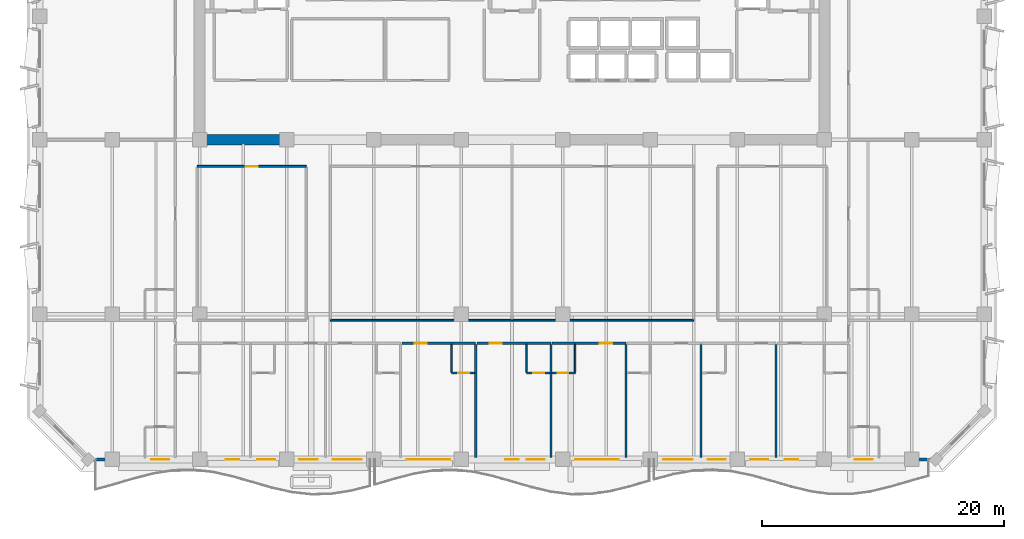
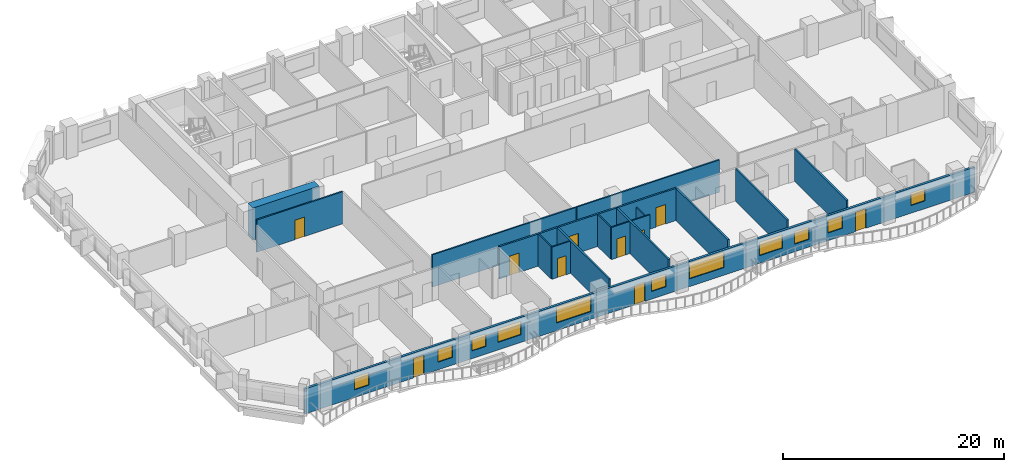
# One storey, part 5 of 15: 19 walls, 11 windows, 10 doors, 21 openings.
"""IFC4 building model written with IfcOpenShell, lengths in metres."""

from ifc_helpers import new_model, si_unit, direction, frame, frame_2d, origin, place, context, subcontext, project, spatial, rectangle, extrude, material, layer, layer_set, type_object, element, fill, save


model = new_model("IFC4")

# Units and contexts
model_context = context("Model", 3, precision=1e-05, world=origin(), true_north=direction((0.0, 1.0)))
body_context = subcontext(model_context, "Body", "Model", "MODEL_VIEW")
ifc_project = project(units=[si_unit("LENGTHUNIT", "METRE"), si_unit("AREAUNIT", "SQUARE_METRE"), si_unit("VOLUMEUNIT", "CUBIC_METRE"), si_unit("PLANEANGLEUNIT", "RADIAN"), si_unit("MASSUNIT", "GRAM", prefix="KILO")], contexts=[model_context])

# Site, building, storey
site_placement = place(None, origin())
site = spatial("IfcSite", under=ifc_project, at=site_placement, CompositionType="ELEMENT")
building_placement = place(site_placement, origin())
building = spatial("IfcBuilding", under=site, at=building_placement, Name="Kaelvorn Grand Hotel", CompositionType="ELEMENT")
storey_placement = place(building_placement, frame((0.0, 0.0, 150.550048828125)))
storey = spatial("IfcBuildingStorey", under=building, at=storey_placement, Name="L36", CompositionType="ELEMENT", Elevation=150.550048828125)

# Wall
ifc_material_1 = material(Name="Concrete C60/75", Category="concrete")
ifc_layer_1 = layer(ifc_material_1, 0.89990234375)
ifc_layer_set_1 = layer_set([ifc_layer_1], Name="Concrete C60/75")
wall_type_1 = type_object("IfcWallType", Name="WL-CORE-900-C60", PredefinedType="SHEAR", material=ifc_layer_set_1)
wall_1_placement = place(storey_placement, frame((16.655029296875, 29.39990234375, 0.0), z_axis=(0.0, 0.0, 1.0), x_axis=(1.0, 0.0, 0.0)))
element("IfcWall", 1, at=wall_1_placement, inside=storey, type_object=wall_type_1, Name="L36 Rear-Core Coupled Shear Pier S1", PredefinedType="SHEAR", context=body_context, shape_type="SweptSolid", body=[
    extrude(rectangle(XDim=6.945068359375, YDim=0.89990234375, at=frame_2d((3.47265625, 0.0))), origin(), (0.0, 0.0, 1.0), 3.56005859375),
])

# Wall, openings, doors, windows
ifc_material_2 = material(Name="Concrete C40/50", Category="concrete")
ifc_layer_2 = layer(ifc_material_2, 0.239990234375)
ifc_layer_set_2 = layer_set([ifc_layer_2], Name="Concrete C40/50")
wall_type_2 = type_object("IfcWallType", Name="WL-EXT-240-C40", PredefinedType="SOLIDWALL", material=ifc_layer_set_2)
wall_2_placement = place(storey_placement, frame((7.0, 3.0, 0.0), z_axis=(0.0, 0.0, 1.0), x_axis=(1.0, 0.0, 0.0)))
wall_2 = element("IfcWall", 2, at=wall_2_placement, inside=storey, type_object=wall_type_2, Name="L36 Exterior Architectural Concrete Wall 01", PredefinedType="SOLIDWALL", context=body_context, shape_type="SweptSolid", body=[
    extrude(rectangle(XDim=70.0, YDim=0.239990234375, at=frame_2d((35.0, 0.0))), origin(), (0.0, 0.0, 1.0), 2.760009765625),
])
opening_1_placement = place(wall_2_placement, frame((11.38330078125, 0.0, 0.0)))
opening_1 = element("IfcOpeningElement", 3, at=opening_1_placement, cuts=wall_2, Name="Opening DE2", PredefinedType="OPENING", context=body_context, shape_type="SweptSolid", body=[
    extrude(rectangle(XDim=1.10009765625, YDim=2.14990234375, at=frame_2d((0.550048828125, 1.074951171875))), frame((0.0, 0.1298828125, 0.0), z_axis=(0.0, -1.0, 0.0), x_axis=(1.0, 0.0, 0.0)), (0.0, 0.0, 1.0), 0.260009765625),
])
opening_2_placement = place(wall_2_placement, frame((34.449951171875, 0.0, 0.0)))
opening_2 = element("IfcOpeningElement", 4, at=opening_2_placement, cuts=wall_2, Name="Opening DE2", PredefinedType="OPENING", context=body_context, shape_type="SweptSolid", body=[
    extrude(rectangle(XDim=1.10009765625, YDim=2.14990234375, at=frame_2d((0.550048828125, 1.074951171875))), frame((0.0, 0.1298828125, 0.0), z_axis=(0.0, -1.0, 0.0), x_axis=(1.0, 0.0, 0.0)), (0.0, 0.0, 1.0), 0.260009765625),
])
opening_3_placement = place(wall_2_placement, frame((57.5166015625, 0.0, 0.0)))
opening_3 = element("IfcOpeningElement", 5, at=opening_3_placement, cuts=wall_2, Name="Opening DE2", PredefinedType="OPENING", context=body_context, shape_type="SweptSolid", body=[
    extrude(rectangle(XDim=1.10009765625, YDim=2.14990234375, at=frame_2d((0.550048828125, 1.074951171875))), frame((0.0, 0.1298828125, 0.0), z_axis=(0.0, -1.0, 0.0), x_axis=(1.0, 0.0, 0.0)), (0.0, 0.0, 1.0), 0.260009765625),
])
opening_4_placement = place(wall_2_placement, frame((5.199951171875, 0.0, 0.85009765625)))
opening_4 = element("IfcOpeningElement", 6, at=opening_4_placement, cuts=wall_2, Name="Opening W10", PredefinedType="OPENING", context=body_context, shape_type="SweptSolid", body=[
    extrude(rectangle(XDim=1.5, YDim=1.39990234375, at=frame_2d((0.75, 0.699951171875))), frame((0.0, 0.1298828125, 0.0), z_axis=(0.0, -1.0, 0.0), x_axis=(1.0, 0.0, 0.0)), (0.0, 0.0, 1.0), 0.260009765625),
])
opening_5_placement = place(wall_2_placement, frame((13.950439453125, 0.0, 0.85009765625)))
opening_5 = element("IfcOpeningElement", 7, at=opening_5_placement, cuts=wall_2, Name="Opening W10", PredefinedType="OPENING", context=body_context, shape_type="SweptSolid", body=[
    extrude(rectangle(XDim=1.5, YDim=1.39990234375, at=frame_2d((0.75, 0.699951171875))), frame((0.0, 0.1298828125, 0.0), z_axis=(0.0, -1.0, 0.0), x_axis=(1.0, 0.0, 0.0)), (0.0, 0.0, 1.0), 0.260009765625),
])
opening_6_placement = place(wall_2_placement, frame((17.451416015625, 0.0, 0.85009765625)))
opening_6 = element("IfcOpeningElement", 8, at=opening_6_placement, cuts=wall_2, Name="Opening W10", PredefinedType="OPENING", context=body_context, shape_type="SweptSolid", body=[
    extrude(rectangle(XDim=1.5, YDim=1.39990234375, at=frame_2d((0.75, 0.699951171875))), frame((0.0, 0.1298828125, 0.0), z_axis=(0.0, -1.0, 0.0), x_axis=(1.0, 0.0, 0.0)), (0.0, 0.0, 1.0), 0.260009765625),
])
opening_7_placement = place(wall_2_placement, frame((20.201416015625, 0.0, 0.85009765625)))
opening_7 = element("IfcOpeningElement", 9, at=opening_7_placement, cuts=wall_2, Name="Opening W6", PredefinedType="OPENING", context=body_context, shape_type="SweptSolid", body=[
    extrude(rectangle(XDim=2.39990234375, YDim=1.5, at=frame_2d((1.199951171875, 0.75))), frame((0.0, 0.1298828125, 0.0), z_axis=(0.0, -1.0, 0.0), x_axis=(1.0, 0.0, 0.0)), (0.0, 0.0, 1.0), 0.260009765625),
])
opening_8_placement = place(wall_2_placement, frame((26.302490234375, 0.0, 0.85009765625)))
opening_8 = element("IfcOpeningElement", 10, at=opening_8_placement, cuts=wall_2, Name="Opening W3", PredefinedType="OPENING", context=body_context, shape_type="SweptSolid", body=[
    extrude(rectangle(XDim=3.60009765625, YDim=1.75, at=frame_2d((1.800048828125, 0.875))), frame((0.0, 0.1298828125, 0.0), z_axis=(0.0, -1.0, 0.0), x_axis=(1.0, 0.0, 0.0)), (0.0, 0.0, 1.0), 0.260009765625),
])
opening_9_placement = place(wall_2_placement, frame((36.214111328125, 0.0, 0.85009765625)))
opening_9 = element("IfcOpeningElement", 11, at=opening_9_placement, cuts=wall_2, Name="Opening W10", PredefinedType="OPENING", context=body_context, shape_type="SweptSolid", body=[
    extrude(rectangle(XDim=1.5, YDim=1.39990234375, at=frame_2d((0.75, 0.699951171875))), frame((0.0, 0.1298828125, 0.0), z_axis=(0.0, -1.0, 0.0), x_axis=(1.0, 0.0, 0.0)), (0.0, 0.0, 1.0), 0.260009765625),
])
opening_10_placement = place(wall_2_placement, frame((40.20458984375, 0.0, 0.85009765625)))
opening_10 = element("IfcOpeningElement", 12, at=opening_10_placement, cuts=wall_2, Name="Opening W3", PredefinedType="OPENING", context=body_context, shape_type="SweptSolid", body=[
    extrude(rectangle(XDim=3.60009765625, YDim=1.75, at=frame_2d((1.800048828125, 0.875))), frame((0.0, 0.1298828125, 0.0), z_axis=(0.0, -1.0, 0.0), x_axis=(1.0, 0.0, 0.0)), (0.0, 0.0, 1.0), 0.260009765625),
])
opening_11_placement = place(wall_2_placement, frame((47.505615234375, 0.0, 0.85009765625)))
opening_11 = element("IfcOpeningElement", 13, at=opening_11_placement, cuts=wall_2, Name="Opening W6", PredefinedType="OPENING", context=body_context, shape_type="SweptSolid", body=[
    extrude(rectangle(XDim=2.39990234375, YDim=1.5, at=frame_2d((1.199951171875, 0.75))), frame((0.0, 0.1298828125, 0.0), z_axis=(0.0, -1.0, 0.0), x_axis=(1.0, 0.0, 0.0)), (0.0, 0.0, 1.0), 0.260009765625),
])
opening_12_placement = place(wall_2_placement, frame((51.155517578125, 0.0, 0.85009765625)))
opening_12 = element("IfcOpeningElement", 14, at=opening_12_placement, cuts=wall_2, Name="Opening W10", PredefinedType="OPENING", context=body_context, shape_type="SweptSolid", body=[
    extrude(rectangle(XDim=1.5, YDim=1.39990234375, at=frame_2d((0.75, 0.699951171875))), frame((0.0, 0.1298828125, 0.0), z_axis=(0.0, -1.0, 0.0), x_axis=(1.0, 0.0, 0.0)), (0.0, 0.0, 1.0), 0.260009765625),
])
opening_13_placement = place(wall_2_placement, frame((54.656005859375, 0.0, 0.85009765625)))
opening_13 = element("IfcOpeningElement", 15, at=opening_13_placement, cuts=wall_2, Name="Opening W10", PredefinedType="OPENING", context=body_context, shape_type="SweptSolid", body=[
    extrude(rectangle(XDim=1.5, YDim=1.39990234375, at=frame_2d((0.75, 0.699951171875))), frame((0.0, 0.1298828125, 0.0), z_axis=(0.0, -1.0, 0.0), x_axis=(1.0, 0.0, 0.0)), (0.0, 0.0, 1.0), 0.260009765625),
])
opening_14_placement = place(wall_2_placement, frame((63.300048828125, 0.0, 0.85009765625)))
opening_14 = element("IfcOpeningElement", 16, at=opening_14_placement, cuts=wall_2, Name="Opening W10", PredefinedType="OPENING", context=body_context, shape_type="SweptSolid", body=[
    extrude(rectangle(XDim=1.5, YDim=1.39990234375, at=frame_2d((0.75, 0.699951171875))), frame((0.0, 0.1298828125, 0.0), z_axis=(0.0, -1.0, 0.0), x_axis=(1.0, 0.0, 0.0)), (0.0, 0.0, 1.0), 0.260009765625),
])
ifc_material_3 = material(Name="Anodised Aluminium", Category="aluminium")
door_type_1 = type_object("IfcDoorType", Name="DR-EXT-BALC-1100x2150", OperationType="NOTDEFINED", PredefinedType="DOOR", material=ifc_material_3)
door_1_placement = place(opening_1_placement, origin())
door_1 = element("IfcDoor", 17, at=door_1_placement, inside=storey, type_object=door_type_1, Name="L36 Scalloped Balcony Glazed Door DE2-1", OperationType="SINGLE_SWING_RIGHT", OverallHeight=2.14990234375, OverallWidth=1.10009765625, PredefinedType="DOOR", context=body_context, shape_type="SweptSolid", body=[
    extrude(rectangle(XDim=1.10009765625, YDim=2.14990234375, at=frame_2d((0.550048828125, 1.074951171875))), frame((0.0, 0.02490234375, 0.0), z_axis=(0.0, -1.0, 0.0), x_axis=(1.0, 0.0, 0.0)), (0.0, 0.0, 1.0), 0.050048828125),
])
fill(opening_1, door_1)
door_2_placement = place(opening_2_placement, origin())
door_2 = element("IfcDoor", 18, at=door_2_placement, inside=storey, type_object=door_type_1, Name="L36 Scalloped Balcony Glazed Door DE2-2", OperationType="SINGLE_SWING_LEFT", OverallHeight=2.14990234375, OverallWidth=1.10009765625, PredefinedType="DOOR", context=body_context, shape_type="SweptSolid", body=[
    extrude(rectangle(XDim=1.10009765625, YDim=2.14990234375, at=frame_2d((0.550048828125, 1.074951171875))), frame((0.0, 0.02490234375, 0.0), z_axis=(0.0, -1.0, 0.0), x_axis=(1.0, 0.0, 0.0)), (0.0, 0.0, 1.0), 0.050048828125),
])
fill(opening_2, door_2)
door_3_placement = place(opening_3_placement, origin())
door_3 = element("IfcDoor", 19, at=door_3_placement, inside=storey, type_object=door_type_1, Name="L36 Scalloped Balcony Glazed Door DE2-3", OperationType="SINGLE_SWING_RIGHT", OverallHeight=2.14990234375, OverallWidth=1.10009765625, PredefinedType="DOOR", context=body_context, shape_type="SweptSolid", body=[
    extrude(rectangle(XDim=1.10009765625, YDim=2.14990234375, at=frame_2d((0.550048828125, 1.074951171875))), frame((0.0, 0.02490234375, 0.0), z_axis=(0.0, -1.0, 0.0), x_axis=(1.0, 0.0, 0.0)), (0.0, 0.0, 1.0), 0.050048828125),
])
fill(opening_3, door_3)
ifc_material_4 = material(Name="Laminated Low-E Glass", Category="glass")
window_type_1 = type_object("IfcWindowType", Name="WIN-COR-1500x1400", PartitioningType="SINGLE_PANEL", PredefinedType="WINDOW", material=ifc_material_4)
window_1_placement = place(opening_4_placement, origin())
window_1 = element("IfcWindow", 20, at=window_1_placement, inside=storey, type_object=window_type_1, Name="L36 South Guestroom Ribbon Window SR01", OverallHeight=1.39990234375, OverallWidth=1.5, PartitioningType="SINGLE_PANEL", PredefinedType="WINDOW", context=body_context, shape_type="SweptSolid", body=[
    extrude(rectangle(XDim=1.5, YDim=1.39990234375, at=frame_2d((0.75, 0.699951171875))), frame((0.0, 0.030029296875, 0.0), z_axis=(0.0, -1.0, 0.0), x_axis=(1.0, 0.0, 0.0)), (0.0, 0.0, 1.0), 0.06005859375),
])
fill(opening_4, window_1)
window_2_placement = place(opening_5_placement, origin())
window_2 = element("IfcWindow", 21, at=window_2_placement, inside=storey, type_object=window_type_1, Name="L36 South Guestroom Ribbon Window SR02", OverallHeight=1.39990234375, OverallWidth=1.5, PartitioningType="SINGLE_PANEL", PredefinedType="WINDOW", context=body_context, shape_type="SweptSolid", body=[
    extrude(rectangle(XDim=1.5, YDim=1.39990234375, at=frame_2d((0.75, 0.699951171875))), frame((0.0, 0.030029296875, 0.0), z_axis=(0.0, -1.0, 0.0), x_axis=(1.0, 0.0, 0.0)), (0.0, 0.0, 1.0), 0.06005859375),
])
fill(opening_5, window_2)
window_3_placement = place(opening_6_placement, origin())
window_3 = element("IfcWindow", 22, at=window_3_placement, inside=storey, type_object=window_type_1, Name="L36 South Guestroom Ribbon Window SR03", OverallHeight=1.39990234375, OverallWidth=1.5, PartitioningType="SINGLE_PANEL", PredefinedType="WINDOW", context=body_context, shape_type="SweptSolid", body=[
    extrude(rectangle(XDim=1.5, YDim=1.39990234375, at=frame_2d((0.75, 0.699951171875))), frame((0.0, 0.030029296875, 0.0), z_axis=(0.0, -1.0, 0.0), x_axis=(1.0, 0.0, 0.0)), (0.0, 0.0, 1.0), 0.06005859375),
])
fill(opening_6, window_3)
window_4_placement = place(opening_9_placement, origin())
window_4 = element("IfcWindow", 23, at=window_4_placement, inside=storey, type_object=window_type_1, Name="L36 South Guestroom Ribbon Window SR06", OverallHeight=1.39990234375, OverallWidth=1.5, PartitioningType="SINGLE_PANEL", PredefinedType="WINDOW", context=body_context, shape_type="SweptSolid", body=[
    extrude(rectangle(XDim=1.5, YDim=1.39990234375, at=frame_2d((0.75, 0.699951171875))), frame((0.0, 0.030029296875, 0.0), z_axis=(0.0, -1.0, 0.0), x_axis=(1.0, 0.0, 0.0)), (0.0, 0.0, 1.0), 0.06005859375),
])
fill(opening_9, window_4)
window_5_placement = place(opening_12_placement, origin())
window_5 = element("IfcWindow", 24, at=window_5_placement, inside=storey, type_object=window_type_1, Name="L36 South Guestroom Ribbon Window SR09", OverallHeight=1.39990234375, OverallWidth=1.5, PartitioningType="SINGLE_PANEL", PredefinedType="WINDOW", context=body_context, shape_type="SweptSolid", body=[
    extrude(rectangle(XDim=1.5, YDim=1.39990234375, at=frame_2d((0.75, 0.699951171875))), frame((0.0, 0.030029296875, 0.0), z_axis=(0.0, -1.0, 0.0), x_axis=(1.0, 0.0, 0.0)), (0.0, 0.0, 1.0), 0.06005859375),
])
fill(opening_12, window_5)
window_6_placement = place(opening_13_placement, origin())
window_6 = element("IfcWindow", 25, at=window_6_placement, inside=storey, type_object=window_type_1, Name="L36 South Guestroom Ribbon Window SR10", OverallHeight=1.39990234375, OverallWidth=1.5, PartitioningType="SINGLE_PANEL", PredefinedType="WINDOW", context=body_context, shape_type="SweptSolid", body=[
    extrude(rectangle(XDim=1.5, YDim=1.39990234375, at=frame_2d((0.75, 0.699951171875))), frame((0.0, 0.030029296875, 0.0), z_axis=(0.0, -1.0, 0.0), x_axis=(1.0, 0.0, 0.0)), (0.0, 0.0, 1.0), 0.06005859375),
])
fill(opening_13, window_6)
window_7_placement = place(opening_14_placement, origin())
window_7 = element("IfcWindow", 26, at=window_7_placement, inside=storey, type_object=window_type_1, Name="L36 South Guestroom Ribbon Window SR11", OverallHeight=1.39990234375, OverallWidth=1.5, PartitioningType="SINGLE_PANEL", PredefinedType="WINDOW", context=body_context, shape_type="SweptSolid", body=[
    extrude(rectangle(XDim=1.5, YDim=1.39990234375, at=frame_2d((0.75, 0.699951171875))), frame((0.0, 0.030029296875, 0.0), z_axis=(0.0, -1.0, 0.0), x_axis=(1.0, 0.0, 0.0)), (0.0, 0.0, 1.0), 0.06005859375),
])
fill(opening_14, window_7)
window_type_2 = type_object("IfcWindowType", Name="WIN-NTH-2400x1500", PartitioningType="SINGLE_PANEL", PredefinedType="WINDOW", material=ifc_material_4)
window_8_placement = place(opening_7_placement, origin())
window_8 = element("IfcWindow", 27, at=window_8_placement, inside=storey, type_object=window_type_2, Name="L36 South Guestroom Ribbon Window SR04", OverallHeight=1.5, OverallWidth=2.39990234375, PartitioningType="SINGLE_PANEL", PredefinedType="WINDOW", context=body_context, shape_type="SweptSolid", body=[
    extrude(rectangle(XDim=2.39990234375, YDim=1.5, at=frame_2d((1.199951171875, 0.75))), frame((0.0, 0.030029296875, 0.0), z_axis=(0.0, -1.0, 0.0), x_axis=(1.0, 0.0, 0.0)), (0.0, 0.0, 1.0), 0.06005859375),
])
fill(opening_7, window_8)
window_9_placement = place(opening_11_placement, origin())
window_9 = element("IfcWindow", 28, at=window_9_placement, inside=storey, type_object=window_type_2, Name="L36 South Guestroom Ribbon Window SR08", OverallHeight=1.5, OverallWidth=2.39990234375, PartitioningType="SINGLE_PANEL", PredefinedType="WINDOW", context=body_context, shape_type="SweptSolid", body=[
    extrude(rectangle(XDim=2.39990234375, YDim=1.5, at=frame_2d((1.199951171875, 0.75))), frame((0.0, 0.030029296875, 0.0), z_axis=(0.0, -1.0, 0.0), x_axis=(1.0, 0.0, 0.0)), (0.0, 0.0, 1.0), 0.06005859375),
])
fill(opening_11, window_9)
window_type_3 = type_object("IfcWindowType", Name="WIN-RIB-3600x1750", PartitioningType="SINGLE_PANEL", PredefinedType="WINDOW", material=ifc_material_4)
window_10_placement = place(opening_8_placement, origin())
window_10 = element("IfcWindow", 29, at=window_10_placement, inside=storey, type_object=window_type_3, Name="L36 South Guestroom Ribbon Window SR05", OverallHeight=1.75, OverallWidth=3.60009765625, PartitioningType="SINGLE_PANEL", PredefinedType="WINDOW", context=body_context, shape_type="SweptSolid", body=[
    extrude(rectangle(XDim=3.60009765625, YDim=1.75, at=frame_2d((1.800048828125, 0.875))), frame((0.0, 0.030029296875, 0.0), z_axis=(0.0, -1.0, 0.0), x_axis=(1.0, 0.0, 0.0)), (0.0, 0.0, 1.0), 0.06005859375),
])
fill(opening_8, window_10)
window_11_placement = place(opening_10_placement, origin())
window_11 = element("IfcWindow", 30, at=window_11_placement, inside=storey, type_object=window_type_3, Name="L36 South Guestroom Ribbon Window SR07", OverallHeight=1.75, OverallWidth=3.60009765625, PartitioningType="SINGLE_PANEL", PredefinedType="WINDOW", context=body_context, shape_type="SweptSolid", body=[
    extrude(rectangle(XDim=3.60009765625, YDim=1.75, at=frame_2d((1.800048828125, 0.875))), frame((0.0, 0.030029296875, 0.0), z_axis=(0.0, -1.0, 0.0), x_axis=(1.0, 0.0, 0.0)), (0.0, 0.0, 1.0), 0.06005859375),
])
fill(opening_10, window_11)

# Wall, opening, door
ifc_material_5 = material(Name="Moisture-Resistant Tile & Stud Board")
ifc_layer_3 = layer(ifc_material_5, 0.125)
ifc_layer_set_3 = layer_set([ifc_layer_3], Name="Moisture-Resistant Tile & Stud Board")
wall_type_3 = type_object("IfcWallType", Name="WL-PART-125-WET", PredefinedType="PARTITIONING", material=ifc_layer_set_3)
wall_3_placement = place(storey_placement, frame((37.006103515625, 10.139892578125, 0.0), z_axis=(0.0, 0.0, 1.0), x_axis=(1.0, 0.0, 0.0)))
wall_3 = element("IfcWall", 31, at=wall_3_placement, inside=storey, type_object=wall_type_3, Name="L36 En-suite Bathroom L36-04 S Partition", PredefinedType="PARTITIONING", context=body_context, shape_type="SweptSolid", body=[
    extrude(rectangle(XDim=1.905029296875, YDim=0.125, at=frame_2d((0.95263671875, 0.0))), origin(), (0.0, 0.0, 1.0), 3.56005859375),
])
opening_15_placement = place(wall_3_placement, frame((0.550048828125, 0.0, 0.0)))
opening_15 = element("IfcOpeningElement", 32, at=opening_15_placement, cuts=wall_3, Name="Opening DI4", PredefinedType="OPENING", context=body_context, shape_type="SweptSolid", body=[
    extrude(rectangle(XDim=0.89990234375, YDim=2.10009765625, at=frame_2d((0.449951171875, 1.050048828125))), frame((0.0, 0.072509765625, 0.0), z_axis=(0.0, -1.0, 0.0), x_axis=(1.0, 0.0, 0.0)), (0.0, 0.0, 1.0), 0.14501953125),
])
ifc_material_6 = material(Name="Timber Veneer Leaf", Category="wood")
door_type_2 = type_object("IfcDoorType", Name="DR-INT-BATH-900x2100", OperationType="NOTDEFINED", PredefinedType="DOOR", material=ifc_material_6)
door_4_placement = place(opening_15_placement, origin())
door_4 = element("IfcDoor", 33, at=door_4_placement, inside=storey, type_object=door_type_2, Name="L36 En-suite Bathroom L36-04 Door", OperationType="SINGLE_SWING_LEFT", OverallHeight=2.10009765625, OverallWidth=0.89990234375, PredefinedType="DOOR", context=body_context, shape_type="SweptSolid", body=[
    extrude(rectangle(XDim=0.89990234375, YDim=2.10009765625, at=frame_2d((0.449951171875, 1.050048828125))), frame((0.0, 0.02490234375, 0.0), z_axis=(0.0, -1.0, 0.0), x_axis=(1.0, 0.0, 0.0)), (0.0, 0.0, 1.0), 0.050048828125),
])
fill(opening_15, door_4)

# Wall
wall_4_placement = place(storey_placement, frame((37.006103515625, 10.20751953125, 0.0), z_axis=(0.0, 0.0, 1.0), x_axis=(0.0, 1.0, 0.0)))
element("IfcWall", 34, at=wall_4_placement, inside=storey, type_object=wall_type_3, Name="L36 En-suite Bathroom L36-04 W Partition", PredefinedType="PARTITIONING", context=body_context, shape_type="SweptSolid", body=[
    extrude(rectangle(XDim=2.29736328125, YDim=0.125, at=frame_2d((1.148681640625, 0.0))), origin(), (0.0, 0.0, 1.0), 3.56005859375),
])

# Wall, opening, door
wall_5_placement = place(storey_placement, frame((43.207763671875, 10.139892578125, 0.0), z_axis=(0.0, 0.0, 1.0), x_axis=(1.0, 0.0, 0.0)))
wall_5 = element("IfcWall", 35, at=wall_5_placement, inside=storey, type_object=wall_type_3, Name="L36 En-suite Bathroom L36-05 S Partition", PredefinedType="PARTITIONING", context=body_context, shape_type="SweptSolid", body=[
    extrude(rectangle(XDim=1.905029296875, YDim=0.125, at=frame_2d((0.95263671875, 0.0))), origin(), (0.0, 0.0, 1.0), 3.56005859375),
])
opening_16_placement = place(wall_5_placement, frame((0.550048828125, 0.0, 0.0)))
opening_16 = element("IfcOpeningElement", 36, at=opening_16_placement, cuts=wall_5, Name="Opening DI4", PredefinedType="OPENING", context=body_context, shape_type="SweptSolid", body=[
    extrude(rectangle(XDim=0.89990234375, YDim=2.10009765625, at=frame_2d((0.449951171875, 1.050048828125))), frame((0.0, 0.072509765625, 0.0), z_axis=(0.0, -1.0, 0.0), x_axis=(1.0, 0.0, 0.0)), (0.0, 0.0, 1.0), 0.14501953125),
])
door_5_placement = place(opening_16_placement, origin())
door_5 = element("IfcDoor", 37, at=door_5_placement, inside=storey, type_object=door_type_2, Name="L36 En-suite Bathroom L36-05 Door", OperationType="SINGLE_SWING_LEFT", OverallHeight=2.10009765625, OverallWidth=0.89990234375, PredefinedType="DOOR", context=body_context, shape_type="SweptSolid", body=[
    extrude(rectangle(XDim=0.89990234375, YDim=2.10009765625, at=frame_2d((0.449951171875, 1.050048828125))), frame((0.0, 0.02490234375, 0.0), z_axis=(0.0, -1.0, 0.0), x_axis=(1.0, 0.0, 0.0)), (0.0, 0.0, 1.0), 0.050048828125),
])
fill(opening_16, door_5)

# Wall
wall_6_placement = place(storey_placement, frame((43.207763671875, 10.20751953125, 0.0), z_axis=(0.0, 0.0, 1.0), x_axis=(0.0, 1.0, 0.0)))
element("IfcWall", 38, at=wall_6_placement, inside=storey, type_object=wall_type_3, Name="L36 En-suite Bathroom L36-05 W Partition", PredefinedType="PARTITIONING", context=body_context, shape_type="SweptSolid", body=[
    extrude(rectangle(XDim=2.29736328125, YDim=0.125, at=frame_2d((1.148681640625, 0.0))), origin(), (0.0, 0.0, 1.0), 3.56005859375),
])

# Wall, opening, door
wall_7_placement = place(storey_placement, frame((45.302734375, 10.139892578125, 0.0), z_axis=(0.0, 0.0, 1.0), x_axis=(1.0, 0.0, 0.0)))
wall_7 = element("IfcWall", 39, at=wall_7_placement, inside=storey, type_object=wall_type_3, Name="L36 En-suite Bathroom L36-06 S Partition", PredefinedType="PARTITIONING", context=body_context, shape_type="SweptSolid", body=[
    extrude(rectangle(XDim=1.905029296875, YDim=0.125, at=frame_2d((0.95263671875, 0.0))), origin(), (0.0, 0.0, 1.0), 3.56005859375),
])
opening_17_placement = place(wall_7_placement, frame((0.455078125, 0.0, 0.0)))
opening_17 = element("IfcOpeningElement", 40, at=opening_17_placement, cuts=wall_7, Name="Opening DI4", PredefinedType="OPENING", context=body_context, shape_type="SweptSolid", body=[
    extrude(rectangle(XDim=0.89990234375, YDim=2.10009765625, at=frame_2d((0.449951171875, 1.050048828125))), frame((0.0, 0.072509765625, 0.0), z_axis=(0.0, -1.0, 0.0), x_axis=(1.0, 0.0, 0.0)), (0.0, 0.0, 1.0), 0.14501953125),
])
door_6_placement = place(opening_17_placement, origin())
door_6 = element("IfcDoor", 41, at=door_6_placement, inside=storey, type_object=door_type_2, Name="L36 En-suite Bathroom L36-06 Door", OperationType="SINGLE_SWING_LEFT", OverallHeight=2.10009765625, OverallWidth=0.89990234375, PredefinedType="DOOR", context=body_context, shape_type="SweptSolid", body=[
    extrude(rectangle(XDim=0.89990234375, YDim=2.10009765625, at=frame_2d((0.449951171875, 1.050048828125))), frame((0.0, 0.02490234375, 0.0), z_axis=(0.0, -1.0, 0.0), x_axis=(1.0, 0.0, 0.0)), (0.0, 0.0, 1.0), 0.050048828125),
])
fill(opening_17, door_6)

# Wall
wall_8_placement = place(storey_placement, frame((47.207763671875, 10.20751953125, 0.0), z_axis=(0.0, 0.0, 1.0), x_axis=(0.0, 1.0, 0.0)))
element("IfcWall", 42, at=wall_8_placement, inside=storey, type_object=wall_type_3, Name="L36 En-suite Bathroom L36-06 E Partition", PredefinedType="PARTITIONING", context=body_context, shape_type="SweptSolid", body=[
    extrude(rectangle(XDim=2.29736328125, YDim=0.125, at=frame_2d((1.148681640625, 0.0))), origin(), (0.0, 0.0, 1.0), 2.929931640625),
])

# Wall, opening, door
ifc_material_7 = material(Name="Acoustic Gypsum & Stud Partition")
ifc_layer_4 = layer(ifc_material_7, 0.14990234375)
ifc_layer_set_4 = layer_set([ifc_layer_4], Name="Acoustic Gypsum & Stud Partition")
wall_type_4 = type_object("IfcWallType", Name="WL-PART-150-EI60", PredefinedType="PARTITIONING", material=ifc_layer_set_4)
wall_9_placement = place(storey_placement, frame((16.0, 27.199951171875, 0.0), z_axis=(0.0, 0.0, 1.0), x_axis=(1.0, 0.0, 0.0)))
wall_9 = element("IfcWall", 43, at=wall_9_placement, inside=storey, type_object=wall_type_4, Name="L36 Reading Library Lounge N Partition", PredefinedType="PARTITIONING", context=body_context, shape_type="SweptSolid", body=[
    extrude(rectangle(XDim=9.0, YDim=0.14990234375, at=frame_2d((4.5, 0.0))), origin(), (0.0, 0.0, 1.0), 3.56005859375),
])
opening_18_placement = place(wall_9_placement, frame((4.0, 0.0, 0.0)))
opening_18 = element("IfcOpeningElement", 44, at=opening_18_placement, cuts=wall_9, Name="Opening DI3", PredefinedType="OPENING", context=body_context, shape_type="SweptSolid", body=[
    extrude(rectangle(XDim=1.0, YDim=2.14990234375, at=frame_2d((0.5, 1.074951171875))), frame((0.0, 0.0849609375, 0.0), z_axis=(0.0, -1.0, 0.0), x_axis=(1.0, 0.0, 0.0)), (0.0, 0.0, 1.0), 0.169921875),
])
ifc_material_8 = material(Name="Timber Veneer Fire Leaf", Category="wood")
door_type_3 = type_object("IfcDoorType", Name="DR-INT-GUEST-1000x2150", OperationType="NOTDEFINED", PredefinedType="DOOR", material=ifc_material_8)
door_7_placement = place(opening_18_placement, origin())
door_7 = element("IfcDoor", 45, at=door_7_placement, inside=storey, type_object=door_type_3, Name="L36 Reading Library Lounge Door", OperationType="SINGLE_SWING_RIGHT", OverallHeight=2.14990234375, OverallWidth=1.0, PredefinedType="DOOR", context=body_context, shape_type="SweptSolid", body=[
    extrude(rectangle(XDim=1.0, YDim=2.14990234375, at=frame_2d((0.5, 1.074951171875))), frame((0.0, 0.02490234375, 0.0), z_axis=(0.0, -1.0, 0.0), x_axis=(1.0, 0.0, 0.0)), (0.0, 0.0, 1.0), 0.050048828125),
])
fill(opening_18, door_7)

# Walls
wall_10_placement = place(storey_placement, frame((27.0, 14.5, 0.0), z_axis=(0.0, 0.0, 1.0), x_axis=(1.0, 0.0, 0.0)))
element("IfcWall", 46, at=wall_10_placement, inside=storey, type_object=wall_type_4, Name="L36 Chef Finishing Kitchen S Partition", PredefinedType="PARTITIONING", context=body_context, shape_type="SweptSolid", body=[
    extrude(rectangle(XDim=15.0, YDim=0.14990234375, at=frame_2d((7.5, 0.0))), origin(), (0.0, 0.0, 1.0), 3.56005859375),
])
wall_11_placement = place(storey_placement, frame((42.080078125, 14.5, 0.0), z_axis=(0.0, 0.0, 1.0), x_axis=(1.0, 0.0, 0.0)))
element("IfcWall", 47, at=wall_11_placement, inside=storey, type_object=wall_type_4, Name="L36 Conference Seminar Room S Partition", PredefinedType="PARTITIONING", context=body_context, shape_type="SweptSolid", body=[
    extrude(rectangle(XDim=14.919921875, YDim=0.14990234375, at=frame_2d((7.4599609375, 0.0))), origin(), (0.0, 0.0, 1.0), 3.56005859375),
])

# Wall, opening, door
ifc_layer_5 = layer(ifc_material_7, 0.179931640625)
ifc_layer_set_5 = layer_set([ifc_layer_5], Name="Acoustic Gypsum & Stud Partition")
wall_type_5 = type_object("IfcWallType", Name="WL-PART-180-EI60", PredefinedType="PARTITIONING", material=ifc_layer_set_5)
wall_12_placement = place(storey_placement, frame((32.899658203125, 12.60009765625, 0.0), z_axis=(0.0, 0.0, 1.0), x_axis=(1.0, 0.0, 0.0)))
wall_12 = element("IfcWall", 48, at=wall_12_placement, inside=storey, type_object=wall_type_5, Name="L36 Superior King Guest Room L36-04 N Partition", PredefinedType="PARTITIONING", context=body_context, shape_type="SweptSolid", body=[
    extrude(rectangle(XDim=6.1064453125, YDim=0.179931640625, at=frame_2d((3.05322265625, 0.0))), origin(), (0.0, 0.0, 1.0), 3.56005859375),
])
opening_19_placement = place(wall_12_placement, frame((1.055908203125, 0.0, 0.0)))
opening_19 = element("IfcOpeningElement", 49, at=opening_19_placement, cuts=wall_12, Name="Opening DI3", PredefinedType="OPENING", context=body_context, shape_type="SweptSolid", body=[
    extrude(rectangle(XDim=1.0, YDim=2.14990234375, at=frame_2d((0.5, 1.074951171875))), frame((0.0, 0.10009765625, 0.0), z_axis=(0.0, -1.0, 0.0), x_axis=(1.0, 0.0, 0.0)), (0.0, 0.0, 1.0), 0.199951171875),
])
door_8_placement = place(opening_19_placement, origin())
door_8 = element("IfcDoor", 50, at=door_8_placement, inside=storey, type_object=door_type_3, Name="L36 Superior King Guest Room L36-04 Door", OperationType="SINGLE_SWING_RIGHT", OverallHeight=2.14990234375, OverallWidth=1.0, PredefinedType="DOOR", context=body_context, shape_type="SweptSolid", body=[
    extrude(rectangle(XDim=1.0, YDim=2.14990234375, at=frame_2d((0.5, 1.074951171875))), frame((0.0, 0.02490234375, 0.0), z_axis=(0.0, -1.0, 0.0), x_axis=(1.0, 0.0, 0.0)), (0.0, 0.0, 1.0), 0.050048828125),
])
fill(opening_19, door_8)

# Wall
wall_13_placement = place(storey_placement, frame((39.006103515625, 3.14990234375, 0.0), z_axis=(0.0, 0.0, 1.0), x_axis=(0.0, 1.0, 0.0)))
element("IfcWall", 51, at=wall_13_placement, inside=storey, type_object=wall_type_5, Name="L36 Superior King Guest Room L36-04 E Partition", PredefinedType="PARTITIONING", context=body_context, shape_type="SweptSolid", body=[
    extrude(rectangle(XDim=9.35498046875, YDim=0.179931640625, at=frame_2d((4.677490234375, 0.0))), origin(), (0.0, 0.0, 1.0), 3.56005859375),
])

# Wall, opening, door
wall_14_placement = place(storey_placement, frame((39.101318359375, 12.60009765625, 0.0), z_axis=(0.0, 0.0, 1.0), x_axis=(1.0, 0.0, 0.0)))
wall_14 = element("IfcWall", 52, at=wall_14_placement, inside=storey, type_object=wall_type_5, Name="L36 Superior King Guest Room L36-05 N Partition", PredefinedType="PARTITIONING", context=body_context, shape_type="SweptSolid", body=[
    extrude(rectangle(XDim=6.1064453125, YDim=0.179931640625, at=frame_2d((3.05322265625, 0.0))), origin(), (0.0, 0.0, 1.0), 3.56005859375),
])
opening_20_placement = place(wall_14_placement, frame((1.055908203125, 0.0, 0.0)))
opening_20 = element("IfcOpeningElement", 53, at=opening_20_placement, cuts=wall_14, Name="Opening DI3", PredefinedType="OPENING", context=body_context, shape_type="SweptSolid", body=[
    extrude(rectangle(XDim=1.0, YDim=2.14990234375, at=frame_2d((0.5, 1.074951171875))), frame((0.0, 0.10009765625, 0.0), z_axis=(0.0, -1.0, 0.0), x_axis=(1.0, 0.0, 0.0)), (0.0, 0.0, 1.0), 0.199951171875),
])
door_9_placement = place(opening_20_placement, origin())
door_9 = element("IfcDoor", 54, at=door_9_placement, inside=storey, type_object=door_type_3, Name="L36 Superior King Guest Room L36-05 Door", OperationType="SINGLE_SWING_RIGHT", OverallHeight=2.14990234375, OverallWidth=1.0, PredefinedType="DOOR", context=body_context, shape_type="SweptSolid", body=[
    extrude(rectangle(XDim=1.0, YDim=2.14990234375, at=frame_2d((0.5, 1.074951171875))), frame((0.0, 0.02490234375, 0.0), z_axis=(0.0, -1.0, 0.0), x_axis=(1.0, 0.0, 0.0)), (0.0, 0.0, 1.0), 0.050048828125),
])
fill(opening_20, door_9)

# Wall
wall_15_placement = place(storey_placement, frame((45.207763671875, 3.14990234375, 0.0), z_axis=(0.0, 0.0, 1.0), x_axis=(0.0, 1.0, 0.0)))
element("IfcWall", 55, at=wall_15_placement, inside=storey, type_object=wall_type_5, Name="L36 Superior King Guest Room L36-05 E Partition", PredefinedType="PARTITIONING", context=body_context, shape_type="SweptSolid", body=[
    extrude(rectangle(XDim=9.35498046875, YDim=0.179931640625, at=frame_2d((4.677490234375, 0.0))), origin(), (0.0, 0.0, 1.0), 3.56005859375),
])

# Wall, opening, door
wall_16_placement = place(storey_placement, frame((45.302734375, 12.60009765625, 0.0), z_axis=(0.0, 0.0, 1.0), x_axis=(1.0, 0.0, 0.0)))
wall_16 = element("IfcWall", 56, at=wall_16_placement, inside=storey, type_object=wall_type_5, Name="L36 Superior King Guest Room L36-06 N Partition", PredefinedType="PARTITIONING", context=body_context, shape_type="SweptSolid", body=[
    extrude(rectangle(XDim=6.1064453125, YDim=0.179931640625, at=frame_2d((3.05322265625, 0.0))), origin(), (0.0, 0.0, 1.0), 3.56005859375),
])
opening_21_placement = place(wall_16_placement, frame((3.955810546875, 0.0, 0.0)))
opening_21 = element("IfcOpeningElement", 57, at=opening_21_placement, cuts=wall_16, Name="Opening DI3", PredefinedType="OPENING", context=body_context, shape_type="SweptSolid", body=[
    extrude(rectangle(XDim=1.0, YDim=2.14990234375, at=frame_2d((0.5, 1.074951171875))), frame((0.0, 0.10009765625, 0.0), z_axis=(0.0, -1.0, 0.0), x_axis=(1.0, 0.0, 0.0)), (0.0, 0.0, 1.0), 0.199951171875),
])
door_10_placement = place(opening_21_placement, origin())
door_10 = element("IfcDoor", 58, at=door_10_placement, inside=storey, type_object=door_type_3, Name="L36 Superior King Guest Room L36-06 Door", OperationType="SINGLE_SWING_RIGHT", OverallHeight=2.14990234375, OverallWidth=1.0, PredefinedType="DOOR", context=body_context, shape_type="SweptSolid", body=[
    extrude(rectangle(XDim=1.0, YDim=2.14990234375, at=frame_2d((0.5, 1.074951171875))), frame((0.0, 0.02490234375, 0.0), z_axis=(0.0, -1.0, 0.0), x_axis=(1.0, 0.0, 0.0)), (0.0, 0.0, 1.0), 0.050048828125),
])
fill(opening_21, door_10)

# Walls
for number, where, z_axis, x_axis, name in (
    (59, (51.4091796875, 3.14990234375, 0.0), (0.0, 0.0, 1.0), (0.0, 1.0, 0.0), "L36 Superior King Guest Room L36-06 E Partition"),
    (60, (57.61083984375, 3.14990234375, 0.0), (0.0, 0.0, 1.0), (0.0, 1.0, 0.0), "L36 Superior King Guest Room L36-07 E Partition"),
    (61, (63.812255859375, 3.14990234375, 0.0), (0.0, 0.0, 1.0), (0.0, 1.0, 0.0), "L36 Superior King Guest Room L36-08 E Partition"),
):
    element("IfcWall", number, at=place(storey_placement, frame(where, z_axis=z_axis, x_axis=x_axis)), inside=storey, type_object=wall_type_5, Name=name, PredefinedType="PARTITIONING", context=body_context, shape_type="SweptSolid", body=[
        extrude(rectangle(XDim=9.35498046875, YDim=0.179931640625, at=frame_2d((4.677490234375, 0.0))), origin(), (0.0, 0.0, 1.0), 3.56005859375),
    ])

save(model, "model.ifc")
